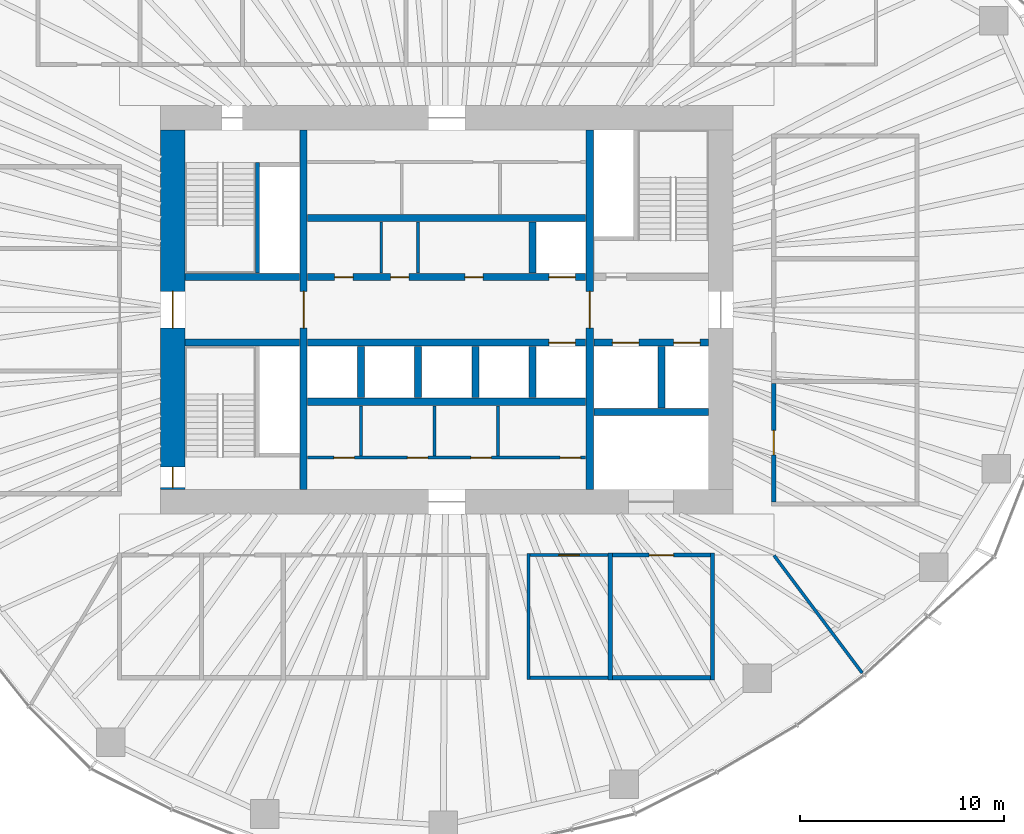
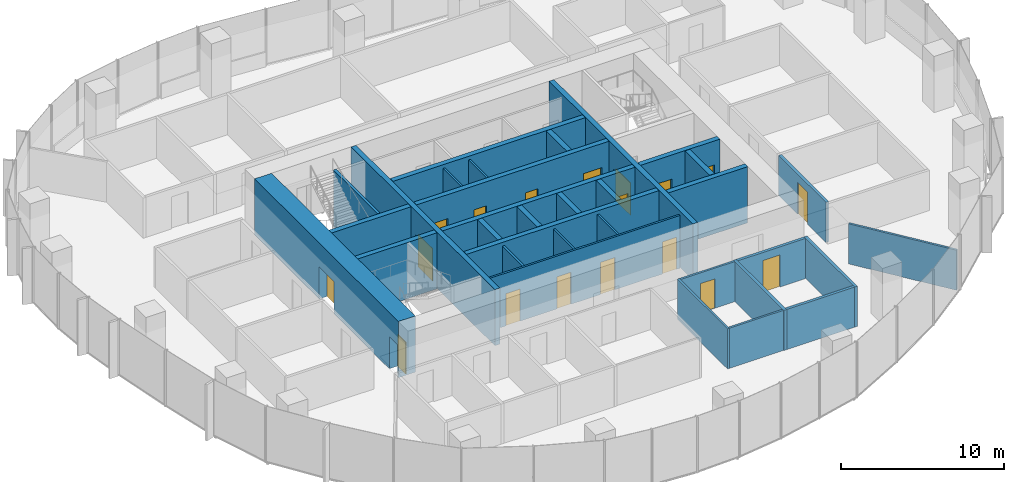
# One storey, part 9 of 18: 33 walls, 18 doors, 18 openings.
"""IFC4 building model written with IfcOpenShell, lengths in metres."""

from ifc_helpers import new_model, si_unit, direction, frame, frame_2d, origin, place, context, subcontext, project, spatial, rectangle, extrude, material, layer, layer_set, type_object, element, fill, save


model = new_model("IFC4")

# Units and contexts
model_context = context("Model", 3, precision=1e-05, world=origin(), true_north=direction((0.0, 1.0)))
body_context = subcontext(model_context, "Body", "Model", "MODEL_VIEW")
ifc_project = project(units=[si_unit("LENGTHUNIT", "METRE"), si_unit("AREAUNIT", "SQUARE_METRE"), si_unit("VOLUMEUNIT", "CUBIC_METRE"), si_unit("PLANEANGLEUNIT", "RADIAN"), si_unit("MASSUNIT", "GRAM", prefix="KILO")], contexts=[model_context])

# Site, building, storey
site_placement = place(None, origin())
site = spatial("IfcSite", under=ifc_project, at=site_placement, CompositionType="ELEMENT")
building_placement = place(site_placement, origin())
building = spatial("IfcBuilding", under=site, at=building_placement, Name="Ghaith Harvest Tower", CompositionType="ELEMENT")
storey_placement = place(building_placement, frame((0.0, 0.0, 180.60009765625)))
storey = spatial("IfcBuildingStorey", under=building, at=storey_placement, Name="L39", CompositionType="ELEMENT", Elevation=180.60009765625)

# Wall, opening, door
ifc_material_1 = material(Name="Twin-stud gypsum board, acoustic", Category="gypsum")
ifc_layer_1 = layer(ifc_material_1, 0.199951171875)
ifc_layer_set_1 = layer_set([ifc_layer_1], Name="ACOUSTIC PARTITION 200")
wall_type_1 = type_object("IfcWallType", Name="ACOUSTIC PARTITION 200", PredefinedType="PARTITIONING", material=ifc_layer_set_1)
wall_1_placement = place(storey_placement, frame((16.0, -9.39990234375, 0.0), z_axis=(0.0, 0.0, 1.0), x_axis=(0.0, 1.0, 0.0)))
wall_1 = element("IfcWall", 1, at=wall_1_placement, inside=storey, type_object=wall_type_1, Name="Partition L39-05", PredefinedType="PARTITIONING", context=body_context, shape_type="SweptSolid", body=[
    extrude(rectangle(XDim=5.7998046875, YDim=0.199951171875, at=frame_2d((2.89990234375, 0.0))), origin(), (0.0, 0.0, 1.0), 3.0),
])
opening_1_placement = place(wall_1_placement, frame((2.300048828125, 0.0, 0.0)))
opening_1 = element("IfcOpeningElement", 2, at=opening_1_placement, cuts=wall_1, Name="Opening 39-029", PredefinedType="OPENING", context=body_context, shape_type="SweptSolid", body=[
    extrude(rectangle(XDim=1.199951171875, YDim=2.39990234375, at=frame_2d((0.60009765625, 1.199951171875))), frame((0.0, 0.10986328125, 0.0), z_axis=(0.0, -1.0, 0.0), x_axis=(1.0, 0.0, 0.0)), (0.0, 0.0, 1.0), 0.219970703125),
])
ifc_material_2 = material(Name="Timber door", Category="wood")
door_type_1 = type_object("IfcDoorType", Name="D11 GLAZED 1200x2400", OperationType="SINGLE_SWING_LEFT", PredefinedType="DOOR", material=ifc_material_2)
door_1_placement = place(opening_1_placement, origin())
door_1 = element("IfcDoor", 3, at=door_1_placement, inside=storey, type_object=door_type_1, Name="Meeting room door", OperationType="SINGLE_SWING_LEFT", OverallHeight=2.39990234375, OverallWidth=1.199951171875, PredefinedType="DOOR", context=body_context, shape_type="SweptSolid", body=[
    extrude(rectangle(XDim=1.199951171875, YDim=2.39990234375, at=frame_2d((0.60009765625, 1.199951171875))), frame((0.0, 0.02490234375, 0.0), z_axis=(0.0, -1.0, 0.0), x_axis=(1.0, 0.0, 0.0)), (0.0, 0.0, 1.0), 0.050048828125),
])
fill(opening_1, door_1)

# Walls
for number, where, z_axis, x_axis, name in (
    (4, (8.0, -11.89990234375, 0.0), (0.0, 0.0, 1.0), (0.0, -1.0, 0.0), "Partition L39 row S4 cross wall 2"),
    (5, (13.0, -11.89990234375, 0.0), (0.0, 0.0, 1.0), (0.0, -1.0, 0.0), "Partition L39 row S4 cross wall 3"),
):
    element("IfcWall", number, at=place(storey_placement, frame(where, z_axis=z_axis, x_axis=x_axis)), inside=storey, type_object=wall_type_1, Name=name, PredefinedType="PARTITIONING", context=body_context, shape_type="SweptSolid", body=[
        extrude(rectangle(XDim=6.2001953125, YDim=0.199951171875, at=frame_2d((3.10009765625, 0.0))), origin(), (0.0, 0.0, 1.0), 3.0),
    ])

# Wall, opening, door
wall_2_placement = place(storey_placement, frame((8.10009765625, -12.0, 0.0), z_axis=(0.0, 0.0, 1.0), x_axis=(1.0, 0.0, 0.0)))
wall_2 = element("IfcWall", 6, at=wall_2_placement, inside=storey, type_object=wall_type_1, Name="Partition L39-13", PredefinedType="PARTITIONING", context=body_context, shape_type="SweptSolid", body=[
    extrude(rectangle(XDim=4.7998046875, YDim=0.199951171875, at=frame_2d((2.39990234375, 0.0))), origin(), (0.0, 0.0, 1.0), 3.0),
])
opening_2_placement = place(wall_2_placement, frame((1.800048828125, 0.0, 0.0)))
opening_2 = element("IfcOpeningElement", 7, at=opening_2_placement, cuts=wall_2, Name="Opening 39-037", PredefinedType="OPENING", context=body_context, shape_type="SweptSolid", body=[
    extrude(rectangle(XDim=1.199951171875, YDim=2.39990234375, at=frame_2d((0.60009765625, 1.199951171875))), frame((0.0, 0.10986328125, 0.0), z_axis=(0.0, -1.0, 0.0), x_axis=(1.0, 0.0, 0.0)), (0.0, 0.0, 1.0), 0.219970703125),
])
door_2_placement = place(opening_2_placement, origin())
door_2 = element("IfcDoor", 8, at=door_2_placement, inside=storey, type_object=door_type_1, Name="Meeting room door", OperationType="SINGLE_SWING_LEFT", OverallHeight=2.39990234375, OverallWidth=1.199951171875, PredefinedType="DOOR", context=body_context, shape_type="SweptSolid", body=[
    extrude(rectangle(XDim=1.199951171875, YDim=2.39990234375, at=frame_2d((0.60009765625, 1.199951171875))), frame((0.0, 0.02490234375, 0.0), z_axis=(0.0, -1.0, 0.0), x_axis=(1.0, 0.0, 0.0)), (0.0, 0.0, 1.0), 0.050048828125),
])
fill(opening_2, door_2)

# Wall
wall_3_placement = place(storey_placement, frame((8.10009765625, -18.0, 0.0), z_axis=(0.0, 0.0, 1.0), x_axis=(1.0, 0.0, 0.0)))
element("IfcWall", 9, at=wall_3_placement, inside=storey, type_object=wall_type_1, Name="Partition L39-13", PredefinedType="PARTITIONING", context=body_context, shape_type="SweptSolid", body=[
    extrude(rectangle(XDim=4.7998046875, YDim=0.199951171875, at=frame_2d((2.39990234375, 0.0))), origin(), (0.0, 0.0, 1.0), 3.0),
])

# Wall, openings, doors
ifc_material_3 = material(Name="Concrete blockwork, fair-faced", Category="masonry")
ifc_layer_2 = layer(ifc_material_3, 0.139892578125)
ifc_layer_set_2 = layer_set([ifc_layer_2], Name="CORE PARTITION 140")
wall_type_2 = type_object("IfcWallType", Name="CORE PARTITION 140", PredefinedType="PARTITIONING", material=ifc_layer_set_2)
wall_4_placement = place(storey_placement, frame((-6.800048828125, -7.22998046875, 0.0), z_axis=(0.0, 0.0, 1.0), x_axis=(1.0, 0.0, 0.0)))
wall_4 = element("IfcWall", 10, at=wall_4_placement, inside=storey, type_object=wall_type_2, Name="Core partition L39", PredefinedType="PARTITIONING", context=body_context, shape_type="SweptSolid", body=[
    extrude(rectangle(XDim=13.60009765625, YDim=0.139892578125, at=frame_2d((6.800048828125, 0.0))), origin(), (0.0, 0.0, 1.0), 3.949951171875),
])
opening_3_placement = place(wall_4_placement, frame((1.280029296875, 0.0, 0.0)))
opening_3 = element("IfcOpeningElement", 11, at=opening_3_placement, cuts=wall_4, Name="Opening 39-011", PredefinedType="OPENING", context=body_context, shape_type="SweptSolid", body=[
    extrude(rectangle(XDim=1.0, YDim=2.39990234375, at=frame_2d((0.5, 1.199951171875))), frame((0.0, 0.080078125, 0.0), z_axis=(0.0, -1.0, 0.0), x_axis=(1.0, 0.0, 0.0)), (0.0, 0.0, 1.0), 0.159912109375),
])
opening_4_placement = place(wall_4_placement, frame((4.8798828125, 0.0, 0.0)))
opening_4 = element("IfcOpeningElement", 12, at=opening_4_placement, cuts=wall_4, Name="Opening 39-012", PredefinedType="OPENING", context=body_context, shape_type="SweptSolid", body=[
    extrude(rectangle(XDim=1.0, YDim=2.39990234375, at=frame_2d((0.5, 1.199951171875))), frame((0.0, 0.080078125, 0.0), z_axis=(0.0, -1.0, 0.0), x_axis=(1.0, 0.0, 0.0)), (0.0, 0.0, 1.0), 0.159912109375),
])
opening_5_placement = place(wall_4_placement, frame((7.97998046875, 0.0, 0.0)))
opening_5 = element("IfcOpeningElement", 13, at=opening_5_placement, cuts=wall_4, Name="Opening 39-013", PredefinedType="OPENING", context=body_context, shape_type="SweptSolid", body=[
    extrude(rectangle(XDim=1.0, YDim=2.39990234375, at=frame_2d((0.5, 1.199951171875))), frame((0.0, 0.080078125, 0.0), z_axis=(0.0, -1.0, 0.0), x_axis=(1.0, 0.0, 0.0)), (0.0, 0.0, 1.0), 0.159912109375),
])
opening_6_placement = place(wall_4_placement, frame((12.35009765625, 0.0, 0.0)))
opening_6 = element("IfcOpeningElement", 14, at=opening_6_placement, cuts=wall_4, Name="Opening 39-014", PredefinedType="OPENING", context=body_context, shape_type="SweptSolid", body=[
    extrude(rectangle(XDim=1.0, YDim=2.39990234375, at=frame_2d((0.5, 1.199951171875))), frame((0.0, 0.080078125, 0.0), z_axis=(0.0, -1.0, 0.0), x_axis=(1.0, 0.0, 0.0)), (0.0, 0.0, 1.0), 0.159912109375),
])
ifc_material_4 = material(Name="Steel fire door", Category="steel")
door_type_2 = type_object("IfcDoorType", Name="D3 FD90 1000x2400", OperationType="SINGLE_SWING_LEFT", PredefinedType="DOOR", material=ifc_material_4)
door_3_placement = place(opening_3_placement, origin())
door_3 = element("IfcDoor", 15, at=door_3_placement, inside=storey, type_object=door_type_2, Name="Security room door", OperationType="SINGLE_SWING_LEFT", OverallHeight=2.39990234375, OverallWidth=1.0, PredefinedType="DOOR", context=body_context, shape_type="SweptSolid", body=[
    extrude(rectangle(XDim=1.0, YDim=2.39990234375, at=frame_2d((0.5, 1.199951171875))), frame((0.0, 0.02490234375, 0.0), z_axis=(0.0, -1.0, 0.0), x_axis=(1.0, 0.0, 0.0)), (0.0, 0.0, 1.0), 0.050048828125),
])
fill(opening_3, door_3)
door_4_placement = place(opening_4_placement, origin())
door_4 = element("IfcDoor", 16, at=door_4_placement, inside=storey, type_object=door_type_2, Name="Electrical room door", OperationType="SINGLE_SWING_LEFT", OverallHeight=2.39990234375, OverallWidth=1.0, PredefinedType="DOOR", context=body_context, shape_type="SweptSolid", body=[
    extrude(rectangle(XDim=1.0, YDim=2.39990234375, at=frame_2d((0.5, 1.199951171875))), frame((0.0, 0.02490234375, 0.0), z_axis=(0.0, -1.0, 0.0), x_axis=(1.0, 0.0, 0.0)), (0.0, 0.0, 1.0), 0.050048828125),
])
fill(opening_4, door_4)
door_5_placement = place(opening_5_placement, origin())
door_5 = element("IfcDoor", 17, at=door_5_placement, inside=storey, type_object=door_type_2, Name="Communications equipment room door", OperationType="SINGLE_SWING_RIGHT", OverallHeight=2.39990234375, OverallWidth=1.0, PredefinedType="DOOR", context=body_context, shape_type="SweptSolid", body=[
    extrude(rectangle(XDim=1.0, YDim=2.39990234375, at=frame_2d((0.5, 1.199951171875))), frame((0.0, 0.02490234375, 0.0), z_axis=(0.0, -1.0, 0.0), x_axis=(1.0, 0.0, 0.0)), (0.0, 0.0, 1.0), 0.050048828125),
])
fill(opening_5, door_5)
door_6_placement = place(opening_6_placement, origin())
door_6 = element("IfcDoor", 18, at=door_6_placement, inside=storey, type_object=door_type_2, Name="Riser room door", OperationType="SINGLE_SWING_RIGHT", OverallHeight=2.39990234375, OverallWidth=1.0, PredefinedType="DOOR", context=body_context, shape_type="SweptSolid", body=[
    extrude(rectangle(XDim=1.0, YDim=2.39990234375, at=frame_2d((0.5, 1.199951171875))), frame((0.0, 0.02490234375, 0.0), z_axis=(0.0, -1.0, 0.0), x_axis=(1.0, 0.0, 0.0)), (0.0, 0.0, 1.0), 0.050048828125),
])
fill(opening_6, door_6)

# Walls
for number, where, z_axis, x_axis, name in (
    (19, (-4.199951171875, -4.699951171875, 0.0), (0.0, 0.0, 1.0), (0.0, -1.0, 0.0), "Core partition L39"),
    (20, (-0.60009765625, -4.699951171875, 0.0), (0.0, 0.0, 1.0), (0.0, -1.0, 0.0), "Core partition L39"),
    (21, (2.5, -4.699951171875, 0.0), (0.0, 0.0, 1.0), (0.0, -1.0, 0.0), "Core partition L39"),
):
    element("IfcWall", number, at=place(storey_placement, frame(where, z_axis=z_axis, x_axis=x_axis)), inside=storey, type_object=wall_type_2, Name=name, PredefinedType="PARTITIONING", context=body_context, shape_type="SweptSolid", body=[
        extrude(rectangle(XDim=2.4599609375, YDim=0.139892578125, at=frame_2d((1.22998046875, 0.0))), origin(), (0.0, 0.0, 1.0), 3.949951171875),
    ])
for number, where, z_axis, x_axis, name in (
    (22, (-3.199951171875, 1.800048828125, 0.0), (0.0, 0.0, 1.0), (0.0, 1.0, 0.0), "Core partition L39"),
    (23, (-1.39990234375, 1.800048828125, 0.0), (0.0, 0.0, 1.0), (0.0, 1.0, 0.0), "Core partition L39"),
):
    element("IfcWall", number, at=place(storey_placement, frame(where, z_axis=z_axis, x_axis=x_axis)), inside=storey, type_object=wall_type_2, Name=name, PredefinedType="PARTITIONING", context=body_context, shape_type="SweptSolid", body=[
        extrude(rectangle(XDim=2.5, YDim=0.139892578125, at=frame_2d((1.25, 0.0))), origin(), (0.0, 0.0, 1.0), 3.949951171875),
    ])

# Wall, openings, doors
ifc_material_5 = material(Name="Concrete C60/75", Category="concrete")
ifc_layer_3 = layer(ifc_material_5, 1.199951171875)
ifc_layer_set_3 = layer_set([ifc_layer_3], Name="CORE WALL CW1200 C60")
wall_type_3 = type_object("IfcWallType", Name="CORE WALL CW1200 C60", PredefinedType="SHEAR", material=ifc_layer_set_3)
wall_5_placement = place(storey_placement, frame((-13.39990234375, 8.800048828125, 0.0), z_axis=(0.0, 0.0, 1.0), x_axis=(0.0, -1.0, 0.0)))
wall_5 = element("IfcWall", 24, at=wall_5_placement, inside=storey, type_object=wall_type_3, Name="Core wall W L39", PredefinedType="SHEAR", context=body_context, shape_type="SweptSolid", body=[
    extrude(rectangle(XDim=17.60009765625, YDim=1.199951171875, at=frame_2d((8.800048828125, 0.0))), origin(), (0.0, 0.0, 1.0), 4.199951171875),
])
opening_7_placement = place(wall_5_placement, frame((7.89990234375, 0.0, 0.0)))
opening_7 = element("IfcOpeningElement", 25, at=opening_7_placement, cuts=wall_5, Name="Opening 39-001", PredefinedType="OPENING", context=body_context, shape_type="SweptSolid", body=[
    extrude(rectangle(XDim=1.800048828125, YDim=2.39990234375, at=frame_2d((0.89990234375, 1.199951171875))), frame((0.0, 0.60986328125, 0.0), z_axis=(0.0, -1.0, 0.0), x_axis=(1.0, 0.0, 0.0)), (0.0, 0.0, 1.0), 1.219970703125),
])
opening_8_placement = place(wall_5_placement, frame((16.5, 0.0, 0.0)))
opening_8 = element("IfcOpeningElement", 26, at=opening_8_placement, cuts=wall_5, Name="Opening 39-006", PredefinedType="OPENING", context=body_context, shape_type="SweptSolid", body=[
    extrude(rectangle(XDim=1.0, YDim=2.39990234375, at=frame_2d((0.5, 1.199951171875))), frame((0.0, 0.60986328125, 0.0), z_axis=(0.0, -1.0, 0.0), x_axis=(1.0, 0.0, 0.0)), (0.0, 0.0, 1.0), 1.219970703125),
])
door_7_placement = place(opening_8_placement, origin())
door_7 = element("IfcDoor", 27, at=door_7_placement, inside=storey, type_object=door_type_2, Name="Stair ST3 door", OperationType="SINGLE_SWING_RIGHT", OverallHeight=2.39990234375, OverallWidth=1.0, PredefinedType="DOOR", context=body_context, shape_type="SweptSolid", body=[
    extrude(rectangle(XDim=1.0, YDim=2.39990234375, at=frame_2d((0.5, 1.199951171875))), frame((0.0, 0.02490234375, 0.0), z_axis=(0.0, -1.0, 0.0), x_axis=(1.0, 0.0, 0.0)), (0.0, 0.0, 1.0), 0.050048828125),
])
fill(opening_8, door_7)
ifc_material_6 = material(Name="Steel fire door", Category="steel")
door_type_3 = type_object("IfcDoorType", Name="D4 FD90 PAIR 1800x2400", OperationType="DOUBLE_DOOR_SINGLE_SWING", PredefinedType="DOOR", material=ifc_material_6)
door_8_placement = place(opening_7_placement, origin())
door_8 = element("IfcDoor", 28, at=door_8_placement, inside=storey, type_object=door_type_3, Name="West lobby doors", OperationType="DOUBLE_DOOR_SINGLE_SWING", OverallHeight=2.39990234375, OverallWidth=1.800048828125, PredefinedType="DOOR", context=body_context, shape_type="SweptSolid", body=[
    extrude(rectangle(XDim=1.800048828125, YDim=2.39990234375, at=frame_2d((0.89990234375, 1.199951171875))), frame((0.0, 0.02490234375, 0.0), z_axis=(0.0, -1.0, 0.0), x_axis=(1.0, 0.0, 0.0)), (0.0, 0.0, 1.0), 0.050048828125),
])
fill(opening_7, door_8)

# Wall
ifc_material_7 = material(Name="Gypsum board on steel studs", Category="steel")
ifc_layer_4 = layer(ifc_material_7, 0.14990234375)
ifc_layer_set_4 = layer_set([ifc_layer_4], Name="PARTITION 150")
wall_type_4 = type_object("IfcWallType", Name="PARTITION 150", PredefinedType="PARTITIONING", material=ifc_layer_set_4)
wall_6_placement = place(storey_placement, frame((4.0, -11.925048828125, 0.0), z_axis=(0.0, 0.0, 1.0), x_axis=(0.0, -1.0, 0.0)))
element("IfcWall", 29, at=wall_6_placement, inside=storey, type_object=wall_type_4, Name="Partition L39 row S4 cross wall 1", PredefinedType="PARTITIONING", context=body_context, shape_type="SweptSolid", body=[
    extrude(rectangle(XDim=6.14990234375, YDim=0.14990234375, at=frame_2d((3.074951171875, 0.0))), origin(), (0.0, 0.0, 1.0), 3.0),
])

# Wall, opening, door
wall_7_placement = place(storey_placement, frame((4.074951171875, -12.0, 0.0), z_axis=(0.0, 0.0, 1.0), x_axis=(1.0, 0.0, 0.0)))
wall_7 = element("IfcWall", 30, at=wall_7_placement, inside=storey, type_object=wall_type_4, Name="Partition L39-12", PredefinedType="PARTITIONING", context=body_context, shape_type="SweptSolid", body=[
    extrude(rectangle(XDim=3.824951171875, YDim=0.14990234375, at=frame_2d((1.91259765625, 0.0))), origin(), (0.0, 0.0, 1.0), 3.0),
])
opening_9_placement = place(wall_7_placement, frame((1.41259765625, 0.0, 0.0)))
opening_9 = element("IfcOpeningElement", 31, at=opening_9_placement, cuts=wall_7, Name="Opening 39-036", PredefinedType="OPENING", context=body_context, shape_type="SweptSolid", body=[
    extrude(rectangle(XDim=1.0, YDim=2.199951171875, at=frame_2d((0.5, 1.10009765625))), frame((0.0, 0.0849609375, 0.0), z_axis=(0.0, -1.0, 0.0), x_axis=(1.0, 0.0, 0.0)), (0.0, 0.0, 1.0), 0.169921875),
])
ifc_material_8 = material(Name="Timber door", Category="wood")
door_type_4 = type_object("IfcDoorType", Name="D1 SINGLE 1000x2200", OperationType="SINGLE_SWING_LEFT", PredefinedType="DOOR", material=ifc_material_8)
door_9_placement = place(opening_9_placement, origin())
door_9 = element("IfcDoor", 32, at=door_9_placement, inside=storey, type_object=door_type_4, Name="Store door", OperationType="SINGLE_SWING_LEFT", OverallHeight=2.199951171875, OverallWidth=1.0, PredefinedType="DOOR", context=body_context, shape_type="SweptSolid", body=[
    extrude(rectangle(XDim=1.0, YDim=2.199951171875, at=frame_2d((0.5, 1.10009765625))), frame((0.0, 0.02490234375, 0.0), z_axis=(0.0, -1.0, 0.0), x_axis=(1.0, 0.0, 0.0)), (0.0, 0.0, 1.0), 0.050048828125),
])
fill(opening_9, door_9)

# Walls
wall_8_placement = place(storey_placement, frame((4.074951171875, -18.0, 0.0), z_axis=(0.0, 0.0, 1.0), x_axis=(1.0, 0.0, 0.0)))
element("IfcWall", 33, at=wall_8_placement, inside=storey, type_object=wall_type_4, Name="Partition L39-12", PredefinedType="PARTITIONING", context=body_context, shape_type="SweptSolid", body=[
    extrude(rectangle(XDim=3.824951171875, YDim=0.14990234375, at=frame_2d((1.91259765625, 0.0))), origin(), (0.0, 0.0, 1.0), 3.0),
])
wall_9_placement = place(storey_placement, frame((16.011962890625, -12.01611328125, 0.0), z_axis=(0.0, 0.0, 1.0), x_axis=(0.600059749679, -0.799955184254, 0.0)))
element("IfcWall", 34, at=wall_9_placement, inside=storey, type_object=wall_type_4, Name="Partition L39 zone division", PredefinedType="PARTITIONING", context=body_context, shape_type="SweptSolid", body=[
    extrude(rectangle(XDim=7.191162109375, YDim=0.14990234375, at=frame_2d((3.595703125, 0.0))), origin(), (0.0, 0.0, 1.0), 3.0),
])

# Wall, opening, door
ifc_material_9 = material(Name="Concrete C60/75", Category="concrete")
ifc_layer_5 = layer(ifc_material_9, 0.35009765625)
ifc_layer_set_5 = layer_set([ifc_layer_5], Name="SHAFT WALL 350")
wall_type_5 = type_object("IfcWallType", Name="SHAFT WALL 350", PredefinedType="SHEAR", material=ifc_layer_set_5)
wall_10_placement = place(storey_placement, frame((-7.0, -8.800048828125, 0.0), z_axis=(0.0, 0.0, 1.0), x_axis=(0.0, 1.0, 0.0)))
wall_10 = element("IfcWall", 35, at=wall_10_placement, inside=storey, type_object=wall_type_5, Name="Shaft wall W7W L39", PredefinedType="SHEAR", context=body_context, shape_type="SweptSolid", body=[
    extrude(rectangle(XDim=17.60009765625, YDim=0.35009765625, at=frame_2d((8.800048828125, 0.0))), origin(), (0.0, 0.0, 1.0), 4.199951171875),
])
opening_10_placement = place(wall_10_placement, frame((7.89990234375, 0.0, 0.0)))
opening_10 = element("IfcOpeningElement", 36, at=opening_10_placement, cuts=wall_10, Name="Opening 39-003", PredefinedType="OPENING", context=body_context, shape_type="SweptSolid", body=[
    extrude(rectangle(XDim=1.800048828125, YDim=2.39990234375, at=frame_2d((0.89990234375, 1.199951171875))), frame((0.0, 0.18505859375, 0.0), z_axis=(0.0, -1.0, 0.0), x_axis=(1.0, 0.0, 0.0)), (0.0, 0.0, 1.0), 0.3701171875),
])
door_10_placement = place(opening_10_placement, origin())
door_10 = element("IfcDoor", 37, at=door_10_placement, inside=storey, type_object=door_type_3, Name="Lift lobby doors, west", OperationType="DOUBLE_DOOR_SINGLE_SWING", OverallHeight=2.39990234375, OverallWidth=1.800048828125, PredefinedType="DOOR", context=body_context, shape_type="SweptSolid", body=[
    extrude(rectangle(XDim=1.800048828125, YDim=2.39990234375, at=frame_2d((0.89990234375, 1.199951171875))), frame((0.0, 0.02490234375, 0.0), z_axis=(0.0, -1.0, 0.0), x_axis=(1.0, 0.0, 0.0)), (0.0, 0.0, 1.0), 0.050048828125),
])
fill(opening_10, door_10)

wall_11_placement = place(storey_placement, frame((7.0, -8.800048828125, 0.0), z_axis=(0.0, 0.0, 1.0), x_axis=(0.0, 1.0, 0.0)))
wall_11 = element("IfcWall", 38, at=wall_11_placement, inside=storey, type_object=wall_type_5, Name="Shaft wall W7E L39", PredefinedType="SHEAR", context=body_context, shape_type="SweptSolid", body=[
    extrude(rectangle(XDim=17.60009765625, YDim=0.35009765625, at=frame_2d((8.800048828125, 0.0))), origin(), (0.0, 0.0, 1.0), 4.199951171875),
])
opening_11_placement = place(wall_11_placement, frame((7.89990234375, 0.0, 0.0)))
opening_11 = element("IfcOpeningElement", 39, at=opening_11_placement, cuts=wall_11, Name="Opening 39-004", PredefinedType="OPENING", context=body_context, shape_type="SweptSolid", body=[
    extrude(rectangle(XDim=1.800048828125, YDim=2.39990234375, at=frame_2d((0.89990234375, 1.199951171875))), frame((0.0, 0.18505859375, 0.0), z_axis=(0.0, -1.0, 0.0), x_axis=(1.0, 0.0, 0.0)), (0.0, 0.0, 1.0), 0.3701171875),
])
door_11_placement = place(opening_11_placement, origin())
door_11 = element("IfcDoor", 40, at=door_11_placement, inside=storey, type_object=door_type_3, Name="Lift lobby doors, east", OperationType="DOUBLE_DOOR_SINGLE_SWING", OverallHeight=2.39990234375, OverallWidth=1.800048828125, PredefinedType="DOOR", context=body_context, shape_type="SweptSolid", body=[
    extrude(rectangle(XDim=1.800048828125, YDim=2.39990234375, at=frame_2d((0.89990234375, 1.199951171875))), frame((0.0, 0.02490234375, 0.0), z_axis=(0.0, -1.0, 0.0), x_axis=(1.0, 0.0, 0.0)), (0.0, 0.0, 1.0), 0.050048828125),
])
fill(opening_11, door_11)

# Wall, openings, doors
wall_12_placement = place(storey_placement, frame((-6.800048828125, 1.60009765625, 0.0), z_axis=(0.0, 0.0, 1.0), x_axis=(1.0, 0.0, 0.0)))
wall_12 = element("IfcWall", 41, at=wall_12_placement, inside=storey, type_object=wall_type_5, Name="Shaft wall LN L39", PredefinedType="SHEAR", context=body_context, shape_type="SweptSolid", body=[
    extrude(rectangle(XDim=13.60009765625, YDim=0.35009765625, at=frame_2d((6.800048828125, 0.0))), origin(), (0.0, 0.0, 1.0), 4.199951171875),
])
opening_12_placement = place(wall_12_placement, frame((1.31494140625, 0.0, 0.0)))
opening_12 = element("IfcOpeningElement", 42, at=opening_12_placement, cuts=wall_12, Name="Opening 39-015", PredefinedType="OPENING", context=body_context, shape_type="SweptSolid", body=[
    extrude(rectangle(XDim=0.89990234375, YDim=2.39990234375, at=frame_2d((0.449951171875, 1.199951171875))), frame((0.0, 0.18505859375, 0.0), z_axis=(0.0, -1.0, 0.0), x_axis=(1.0, 0.0, 0.0)), (0.0, 0.0, 1.0), 0.3701171875),
])
opening_13_placement = place(wall_12_placement, frame((4.050048828125, 0.0, 0.0)))
opening_13 = element("IfcOpeningElement", 43, at=opening_13_placement, cuts=wall_12, Name="Opening 39-016", PredefinedType="OPENING", context=body_context, shape_type="SweptSolid", body=[
    extrude(rectangle(XDim=0.89990234375, YDim=2.39990234375, at=frame_2d((0.449951171875, 1.199951171875))), frame((0.0, 0.18505859375, 0.0), z_axis=(0.0, -1.0, 0.0), x_axis=(1.0, 0.0, 0.0)), (0.0, 0.0, 1.0), 0.3701171875),
])
opening_14_placement = place(wall_12_placement, frame((7.68505859375, 0.0, 0.0)))
opening_14 = element("IfcOpeningElement", 44, at=opening_14_placement, cuts=wall_12, Name="Opening 39-017", PredefinedType="OPENING", context=body_context, shape_type="SweptSolid", body=[
    extrude(rectangle(XDim=0.89990234375, YDim=2.39990234375, at=frame_2d((0.449951171875, 1.199951171875))), frame((0.0, 0.18505859375, 0.0), z_axis=(0.0, -1.0, 0.0), x_axis=(1.0, 0.0, 0.0)), (0.0, 0.0, 1.0), 0.3701171875),
])
opening_15_placement = place(wall_12_placement, frame((11.800048828125, 0.0, 0.0)))
opening_15 = element("IfcOpeningElement", 45, at=opening_15_placement, cuts=wall_12, Name="Opening 39-020", PredefinedType="OPENING", context=body_context, shape_type="SweptSolid", body=[
    extrude(rectangle(XDim=1.300048828125, YDim=2.39990234375, at=frame_2d((0.64990234375, 1.199951171875))), frame((0.0, 0.18505859375, 0.0), z_axis=(0.0, -1.0, 0.0), x_axis=(1.0, 0.0, 0.0)), (0.0, 0.0, 1.0), 0.3701171875),
])
ifc_material_10 = material(Name="Steel fire door", Category="steel")
door_type_5 = type_object("IfcDoorType", Name="D5 FD90 900x2400", OperationType="SINGLE_SWING_LEFT", PredefinedType="DOOR", material=ifc_material_10)
door_12_placement = place(opening_12_placement, origin())
door_12 = element("IfcDoor", 46, at=door_12_placement, inside=storey, type_object=door_type_5, Name="Lobby store door", OperationType="SINGLE_SWING_LEFT", OverallHeight=2.39990234375, OverallWidth=0.89990234375, PredefinedType="DOOR", context=body_context, shape_type="SweptSolid", body=[
    extrude(rectangle(XDim=0.89990234375, YDim=2.39990234375, at=frame_2d((0.449951171875, 1.199951171875))), frame((0.0, 0.02490234375, 0.0), z_axis=(0.0, -1.0, 0.0), x_axis=(1.0, 0.0, 0.0)), (0.0, 0.0, 1.0), 0.050048828125),
])
fill(opening_12, door_12)
door_13_placement = place(opening_13_placement, origin())
door_13 = element("IfcDoor", 47, at=door_13_placement, inside=storey, type_object=door_type_5, Name="Lobby store door", OperationType="SINGLE_SWING_LEFT", OverallHeight=2.39990234375, OverallWidth=0.89990234375, PredefinedType="DOOR", context=body_context, shape_type="SweptSolid", body=[
    extrude(rectangle(XDim=0.89990234375, YDim=2.39990234375, at=frame_2d((0.449951171875, 1.199951171875))), frame((0.0, 0.02490234375, 0.0), z_axis=(0.0, -1.0, 0.0), x_axis=(1.0, 0.0, 0.0)), (0.0, 0.0, 1.0), 0.050048828125),
])
fill(opening_13, door_13)
door_14_placement = place(opening_14_placement, origin())
door_14 = element("IfcDoor", 48, at=door_14_placement, inside=storey, type_object=door_type_5, Name="Lobby store door", OperationType="SINGLE_SWING_RIGHT", OverallHeight=2.39990234375, OverallWidth=0.89990234375, PredefinedType="DOOR", context=body_context, shape_type="SweptSolid", body=[
    extrude(rectangle(XDim=0.89990234375, YDim=2.39990234375, at=frame_2d((0.449951171875, 1.199951171875))), frame((0.0, 0.02490234375, 0.0), z_axis=(0.0, -1.0, 0.0), x_axis=(1.0, 0.0, 0.0)), (0.0, 0.0, 1.0), 0.050048828125),
])
fill(opening_14, door_14)
ifc_material_11 = material(Name="Steel fire door", Category="steel")
door_type_6 = type_object("IfcDoorType", Name="LD2 LANDING 1300x2400", OperationType="DOUBLE_DOOR_SLIDING", PredefinedType="DOOR", material=ifc_material_11)
door_15_placement = place(opening_15_placement, origin())
door_15 = element("IfcDoor", 49, at=door_15_placement, inside=storey, type_object=door_type_6, Name="Landing door, lift SH1", OperationType="DOUBLE_DOOR_SLIDING", OverallHeight=2.39990234375, OverallWidth=1.300048828125, PredefinedType="DOOR", context=body_context, shape_type="SweptSolid", body=[
    extrude(rectangle(XDim=1.300048828125, YDim=2.39990234375, at=frame_2d((0.64990234375, 1.199951171875))), frame((0.0, 0.02490234375, 0.0), z_axis=(0.0, -1.0, 0.0), x_axis=(1.0, 0.0, 0.0)), (0.0, 0.0, 1.0), 0.050048828125),
])
fill(opening_15, door_15)

# Wall, opening, door
wall_13_placement = place(storey_placement, frame((-6.800048828125, -1.60009765625, 0.0), z_axis=(0.0, 0.0, 1.0), x_axis=(1.0, 0.0, 0.0)))
wall_13 = element("IfcWall", 50, at=wall_13_placement, inside=storey, type_object=wall_type_5, Name="Shaft wall LS L39", PredefinedType="SHEAR", context=body_context, shape_type="SweptSolid", body=[
    extrude(rectangle(XDim=13.60009765625, YDim=0.35009765625, at=frame_2d((6.800048828125, 0.0))), origin(), (0.0, 0.0, 1.0), 4.199951171875),
])
opening_16_placement = place(wall_13_placement, frame((11.800048828125, 0.0, 0.0)))
opening_16 = element("IfcOpeningElement", 51, at=opening_16_placement, cuts=wall_13, Name="Opening 39-021", PredefinedType="OPENING", context=body_context, shape_type="SweptSolid", body=[
    extrude(rectangle(XDim=1.300048828125, YDim=2.39990234375, at=frame_2d((0.64990234375, 1.199951171875))), frame((0.0, 0.18505859375, 0.0), z_axis=(0.0, -1.0, 0.0), x_axis=(1.0, 0.0, 0.0)), (0.0, 0.0, 1.0), 0.3701171875),
])
door_16_placement = place(opening_16_placement, origin())
door_16 = element("IfcDoor", 52, at=door_16_placement, inside=storey, type_object=door_type_6, Name="Landing door, lift SH2", OperationType="DOUBLE_DOOR_SLIDING", OverallHeight=2.39990234375, OverallWidth=1.300048828125, PredefinedType="DOOR", context=body_context, shape_type="SweptSolid", body=[
    extrude(rectangle(XDim=1.300048828125, YDim=2.39990234375, at=frame_2d((0.64990234375, 1.199951171875))), frame((0.0, 0.02490234375, 0.0), z_axis=(0.0, -1.0, 0.0), x_axis=(1.0, 0.0, 0.0)), (0.0, 0.0, 1.0), 0.050048828125),
])
fill(opening_16, door_16)

# Walls
for number, where, z_axis, x_axis, name in (
    (53, (-6.800048828125, 4.5, 0.0), (0.0, 0.0, 1.0), (1.0, 0.0, 0.0), "Shaft wall BN L39"),
    (54, (-6.800048828125, -4.5, 0.0), (0.0, 0.0, 1.0), (1.0, 0.0, 0.0), "Shaft wall BS L39"),
):
    element("IfcWall", number, at=place(storey_placement, frame(where, z_axis=z_axis, x_axis=x_axis)), inside=storey, type_object=wall_type_5, Name=name, PredefinedType="SHEAR", context=body_context, shape_type="SweptSolid", body=[
        extrude(rectangle(XDim=13.60009765625, YDim=0.35009765625, at=frame_2d((6.800048828125, 0.0))), origin(), (0.0, 0.0, 1.0), 4.199951171875),
    ])
for number, where, z_axis, x_axis, name in (
    (55, (-12.800048828125, 1.60009765625, 0.0), (0.0, 0.0, 1.0), (1.0, 0.0, 0.0), "Shaft wall WN L39"),
    (56, (-12.800048828125, -1.60009765625, 0.0), (0.0, 0.0, 1.0), (1.0, 0.0, 0.0), "Shaft wall WS L39"),
):
    element("IfcWall", number, at=place(storey_placement, frame(where, z_axis=z_axis, x_axis=x_axis)), inside=storey, type_object=wall_type_5, Name=name, PredefinedType="SHEAR", context=body_context, shape_type="SweptSolid", body=[
        extrude(rectangle(XDim=5.60009765625, YDim=0.35009765625, at=frame_2d((2.800048828125, 0.0))), origin(), (0.0, 0.0, 1.0), 4.199951171875),
    ])

# Wall, openings, doors
wall_14_placement = place(storey_placement, frame((7.199951171875, -1.60009765625, 0.0), z_axis=(0.0, 0.0, 1.0), x_axis=(1.0, 0.0, 0.0)))
wall_14 = element("IfcWall", 57, at=wall_14_placement, inside=storey, type_object=wall_type_5, Name="Shaft wall ES L39", PredefinedType="SHEAR", context=body_context, shape_type="SweptSolid", body=[
    extrude(rectangle(XDim=5.60009765625, YDim=0.35009765625, at=frame_2d((2.800048828125, 0.0))), origin(), (0.0, 0.0, 1.0), 4.199951171875),
])
opening_17_placement = place(wall_14_placement, frame((0.89990234375, 0.0, 0.0)))
opening_17 = element("IfcOpeningElement", 58, at=opening_17_placement, cuts=wall_14, Name="Opening 39-022", PredefinedType="OPENING", context=body_context, shape_type="SweptSolid", body=[
    extrude(rectangle(XDim=1.300048828125, YDim=2.39990234375, at=frame_2d((0.64990234375, 1.199951171875))), frame((0.0, 0.18505859375, 0.0), z_axis=(0.0, -1.0, 0.0), x_axis=(1.0, 0.0, 0.0)), (0.0, 0.0, 1.0), 0.3701171875),
])
opening_18_placement = place(wall_14_placement, frame((3.89990234375, 0.0, 0.0)))
opening_18 = element("IfcOpeningElement", 59, at=opening_18_placement, cuts=wall_14, Name="Opening 39-023", PredefinedType="OPENING", context=body_context, shape_type="SweptSolid", body=[
    extrude(rectangle(XDim=1.300048828125, YDim=2.39990234375, at=frame_2d((0.64990234375, 1.199951171875))), frame((0.0, 0.18505859375, 0.0), z_axis=(0.0, -1.0, 0.0), x_axis=(1.0, 0.0, 0.0)), (0.0, 0.0, 1.0), 0.3701171875),
])
door_17_placement = place(opening_17_placement, origin())
door_17 = element("IfcDoor", 60, at=door_17_placement, inside=storey, type_object=door_type_6, Name="Landing door, fire service lift FL1", OperationType="DOUBLE_DOOR_SLIDING", OverallHeight=2.39990234375, OverallWidth=1.300048828125, PredefinedType="DOOR", context=body_context, shape_type="SweptSolid", body=[
    extrude(rectangle(XDim=1.300048828125, YDim=2.39990234375, at=frame_2d((0.64990234375, 1.199951171875))), frame((0.0, 0.02490234375, 0.0), z_axis=(0.0, -1.0, 0.0), x_axis=(1.0, 0.0, 0.0)), (0.0, 0.0, 1.0), 0.050048828125),
])
fill(opening_17, door_17)
door_18_placement = place(opening_18_placement, origin())
door_18 = element("IfcDoor", 61, at=door_18_placement, inside=storey, type_object=door_type_6, Name="Landing door, fire service lift FL2", OperationType="DOUBLE_DOOR_SLIDING", OverallHeight=2.39990234375, OverallWidth=1.300048828125, PredefinedType="DOOR", context=body_context, shape_type="SweptSolid", body=[
    extrude(rectangle(XDim=1.300048828125, YDim=2.39990234375, at=frame_2d((0.64990234375, 1.199951171875))), frame((0.0, 0.02490234375, 0.0), z_axis=(0.0, -1.0, 0.0), x_axis=(1.0, 0.0, 0.0)), (0.0, 0.0, 1.0), 0.050048828125),
])
fill(opening_18, door_18)

# Walls
wall_15_placement = place(storey_placement, frame((10.5, -4.800048828125, 0.0), z_axis=(0.0, 0.0, 1.0), x_axis=(0.0, 1.0, 0.0)))
element("IfcWall", 62, at=wall_15_placement, inside=storey, type_object=wall_type_5, Name="Shaft wall FLD L39", PredefinedType="SHEAR", context=body_context, shape_type="SweptSolid", body=[
    extrude(rectangle(XDim=3.0, YDim=0.35009765625, at=frame_2d((1.5, 0.0))), origin(), (0.0, 0.0, 1.0), 4.199951171875),
])
wall_16_placement = place(storey_placement, frame((7.199951171875, -5.0, 0.0), z_axis=(0.0, 0.0, 1.0), x_axis=(1.0, 0.0, 0.0)))
element("IfcWall", 63, at=wall_16_placement, inside=storey, type_object=wall_type_5, Name="Shaft wall FLB L39", PredefinedType="SHEAR", context=body_context, shape_type="SweptSolid", body=[
    extrude(rectangle(XDim=5.60009765625, YDim=0.35009765625, at=frame_2d((2.800048828125, 0.0))), origin(), (0.0, 0.0, 1.0), 4.199951171875),
])
for number, where, z_axis, x_axis, name in (
    (64, (-4.199951171875, -4.300048828125, 0.0), (0.0, 0.0, 1.0), (0.0, 1.0, 0.0), "Shaft wall DS1 L39"),
    (65, (-1.39990234375, -4.300048828125, 0.0), (0.0, 0.0, 1.0), (0.0, 1.0, 0.0), "Shaft wall DS2 L39"),
    (66, (1.39990234375, -4.300048828125, 0.0), (0.0, 0.0, 1.0), (0.0, 1.0, 0.0), "Shaft wall DS3 L39"),
    (67, (4.199951171875, 1.800048828125, 0.0), (0.0, 0.0, 1.0), (0.0, 1.0, 0.0), "Shaft wall DN4 L39"),
    (68, (4.199951171875, -4.300048828125, 0.0), (0.0, 0.0, 1.0), (0.0, 1.0, 0.0), "Shaft wall DS4 L39"),
):
    element("IfcWall", number, at=place(storey_placement, frame(where, z_axis=z_axis, x_axis=x_axis)), inside=storey, type_object=wall_type_5, Name=name, PredefinedType="SHEAR", context=body_context, shape_type="SweptSolid", body=[
        extrude(rectangle(XDim=2.5, YDim=0.35009765625, at=frame_2d((1.25, 0.0))), origin(), (0.0, 0.0, 1.0), 4.199951171875),
    ])
ifc_material_12 = material(Name="Concrete C40/50", Category="concrete")
ifc_layer_6 = layer(ifc_material_12, 0.199951171875)
ifc_layer_set_6 = layer_set([ifc_layer_6], Name="STAIR SPINE WALL RC200")
wall_type_6 = type_object("IfcWallType", Name="STAIR SPINE WALL RC200", PredefinedType="SOLIDWALL", material=ifc_layer_set_6)
wall_17_placement = place(storey_placement, frame((-9.25, 7.199951171875, 0.0), z_axis=(0.0, 0.0, 1.0), x_axis=(0.0, -1.0, 0.0)))
element("IfcWall", 69, at=wall_17_placement, inside=storey, type_object=wall_type_6, Name="Stair ST1 spine wall L39", PredefinedType="SOLIDWALL", context=body_context, shape_type="SweptSolid", body=[
    extrude(rectangle(XDim=5.39990234375, YDim=0.199951171875, at=frame_2d((2.699951171875, 0.0))), origin(), (0.0, 0.0, 1.0), 4.199951171875),
])

save(model, "model.ifc")
